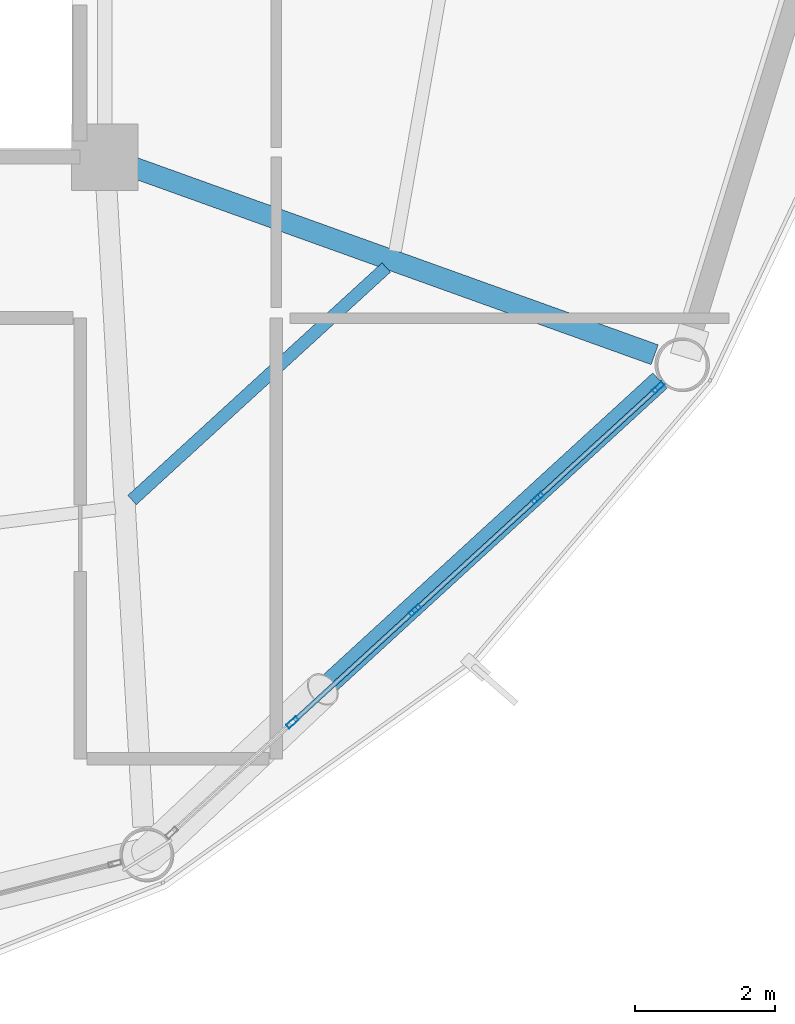
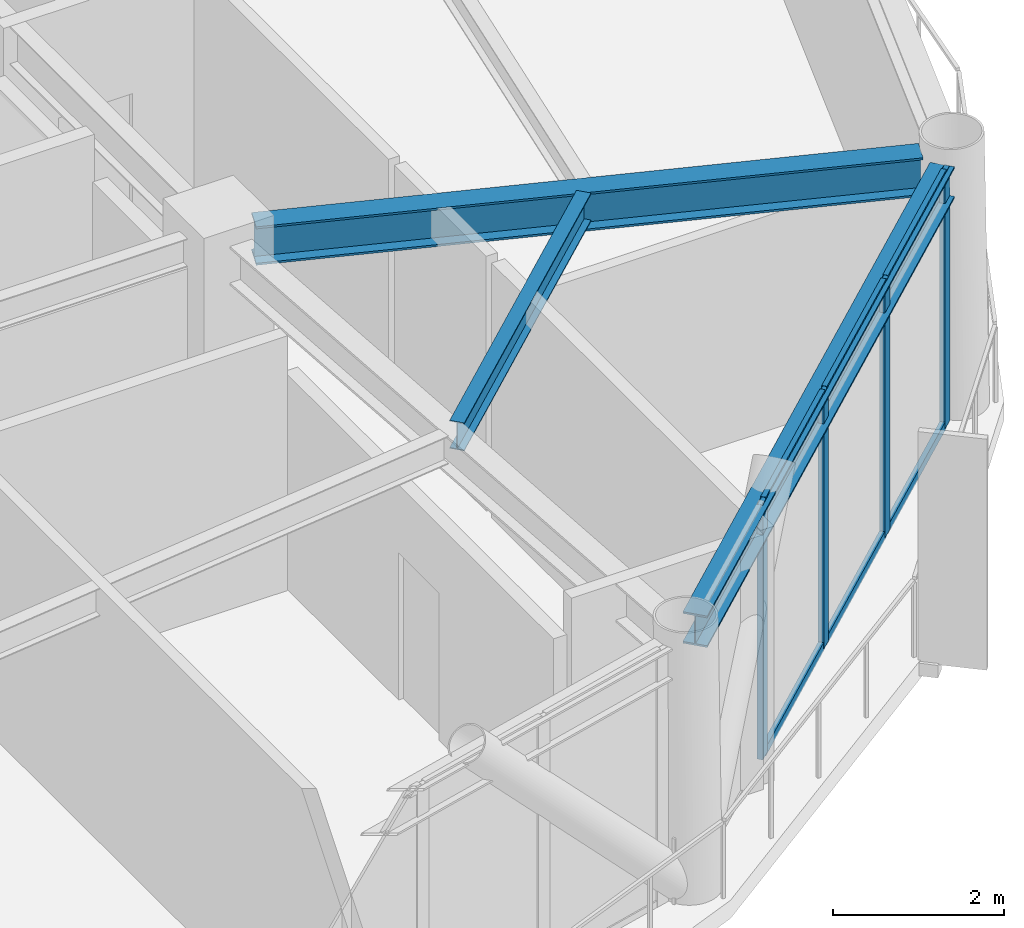
# One storey, part 14 of 27: 10 members, 3 beams, 1 element without a shape of its own.
"""IFC4 building model written with IfcOpenShell, lengths in metres."""

from ifc_helpers import new_model, si_unit, direction, frame, origin, origin_2d, place, context, subcontext, project, spatial, hollow_rectangle, i_section, extrude, material, layer, layer_set, material_profile, profile_set, type_object, element, aggregate, save


model = new_model("IFC4")

# Units and contexts
model_context = context("Model", 3, precision=1e-05, world=origin(), true_north=direction((0.0, 1.0)))
body_context = subcontext(model_context, "Body", "Model", "MODEL_VIEW")
ifc_project = project(units=[si_unit("LENGTHUNIT", "METRE"), si_unit("AREAUNIT", "SQUARE_METRE"), si_unit("VOLUMEUNIT", "CUBIC_METRE"), si_unit("PLANEANGLEUNIT", "RADIAN"), si_unit("MASSUNIT", "GRAM", prefix="KILO")], contexts=[model_context])

# Site, building, storey
site_placement = place(None, origin())
site = spatial("IfcSite", under=ifc_project, at=site_placement, CompositionType="ELEMENT")
building_placement = place(site_placement, origin())
building = spatial("IfcBuilding", under=site, at=building_placement, Name="Varnakorn Sky Granary", CompositionType="ELEMENT")
storey_placement = place(building_placement, frame((0.0, 0.0, 134.39990234375)))
storey = spatial("IfcBuildingStorey", under=building, at=storey_placement, Name="L33", CompositionType="ELEMENT", Elevation=134.39990234375)

# Beams
ifc_material_1 = material(Name="Steel S355JR", Category="steel")
ifc_material_profile_1 = material_profile(ifc_material_1, i_section(OverallWidth=0.300048828125, OverallDepth=0.550048828125, WebThickness=0.014892578125, FlangeThickness=0.029052734375, at=origin_2d()), Name="HE 550 B")
ifc_profile_set_1 = profile_set([ifc_material_profile_1], Name="Steel S355JR")
beam_type_1 = type_object("IfcBeamType", Name="BM-RAD-Z3", PredefinedType="BEAM", material=ifc_profile_set_1)
beam_1_placement = place(storey_placement, frame((8.745361328125, -6.741943359375, 3.364990234375), z_axis=(0.941090480107, -0.338154858388, 0.0), x_axis=(0.338154858388, 0.941090480107, 0.0)))
element("IfcBeam", 1, at=beam_1_placement, inside=storey, type_object=beam_type_1, Name="Radial Floor Girder RG12 L33", PredefinedType="BEAM", context=body_context, shape_type="SweptSolid", body=[
    extrude(i_section(OverallWidth=0.300048828125, OverallDepth=0.550048828125, WebThickness=0.014892578125, FlangeThickness=0.029052734375, at=origin_2d()), origin(), (0.0, 0.0, 1.0), 7.932373046875),
])
ifc_material_profile_2 = material_profile(ifc_material_1, i_section(OverallWidth=0.179931640625, OverallDepth=0.39990234375, WebThickness=0.008544921875, FlangeThickness=0.013427734375, at=origin_2d()), Name="IPE 400")
ifc_profile_set_2 = profile_set([ifc_material_profile_2], Name="Steel S355JR")
beam_type_2 = type_object("IfcBeamType", Name="BM-SEC-Z3", PredefinedType="BEAM", material=ifc_profile_set_2)
beam_2_placement = place(storey_placement, frame((8.74169921875, -11.501220703125, 3.440185546875), z_axis=(0.737795954766, 0.675023798937, 0.0), x_axis=(-0.675023798937, 0.737795954766, 0.0)))
element("IfcBeam", 2, at=beam_2_placement, inside=storey, type_object=beam_type_2, Name="Secondary Floor Chord Beam MSB11 L33", PredefinedType="BEAM", context=body_context, shape_type="SweptSolid", body=[
    extrude(i_section(OverallWidth=0.179931640625, OverallDepth=0.39990234375, WebThickness=0.008544921875, FlangeThickness=0.013427734375, at=origin_2d()), origin(), (0.0, 0.0, 1.0), 4.923828125),
])
ifc_material_profile_3 = material_profile(ifc_material_1, i_section(OverallWidth=0.300048828125, OverallDepth=0.449951171875, WebThickness=0.013916015625, FlangeThickness=0.02587890625, at=origin_2d()), Name="HE 450 B")
ifc_profile_set_3 = profile_set([ifc_material_profile_3], Name="Steel S355JR")
beam_type_3 = type_object("IfcBeamType", Name="BM-SPD-Z3", PredefinedType="SPANDREL", material=ifc_profile_set_3)
beam_3_placement = place(storey_placement, frame((9.19384765625, -16.290283203125, 3.4150390625), z_axis=(0.737414391393, 0.675440608319, 0.0), x_axis=(-0.675440608319, 0.737414391393, 0.0)))
element("IfcBeam", 3, at=beam_3_placement, inside=storey, type_object=beam_type_3, Name="Perimeter Spandrel Ring Beam RB11 L33", PredefinedType="SPANDREL", context=body_context, shape_type="SweptSolid", body=[
    extrude(i_section(OverallWidth=0.300048828125, OverallDepth=0.449951171875, WebThickness=0.013916015625, FlangeThickness=0.02587890625, at=origin_2d()), origin(), (0.0, 0.0, 1.0), 9.6162109375),
])

# Curtain wall, members
ifc_material_2 = material(Name="Anodised Bronze Aluminium Alloy 6063-T6", Category="aluminium")
ifc_layer = layer(ifc_material_2, 0.179931640625, Name="Anodised Bronze Aluminium Alloy 6063-T6")
ifc_layer_set = layer_set([ifc_layer], Name="Anodised Bronze Aluminium Alloy 6063-T6")
curtain_wall_type = type_object("IfcCurtainWallType", Name="CW-FRM-2", PredefinedType="USERDEFINED", material=ifc_layer_set)
curtain_wall_placement = place(storey_placement, origin())
curtain_wall = element("IfcCurtainWall", 4, at=curtain_wall_placement, inside=storey, type_object=curtain_wall_type, Name="Unitised Curtain Wall CW4 CW-L33-B11", ObjectType="CURTAIN WALL", PredefinedType="USERDEFINED")
ifc_material_profile_4 = material_profile(ifc_material_2, hollow_rectangle(XDim=0.070068359375, YDim=0.18505859375, WallThickness=0.00390625, at=origin_2d()), Name="ALU MULL 70x185")
ifc_profile_set_4 = profile_set([ifc_material_profile_4], Name="Anodised Bronze Aluminium Alloy 6063-T6")
member_type_1 = type_object("IfcMemberType", Name="CW-FRM-2-MULL", PredefinedType="MULLION", material=ifc_profile_set_4)
member_1_placement = place(storey_placement, frame((16.26171875, -9.893310546875, 0.0), z_axis=(0.0, 0.0, 1.0), x_axis=(0.675182733871, -0.737650510664, 0.0)))
member_1 = element("IfcMember", 5, at=member_1_placement, type_object=member_type_1, Name="CW4 mullion 1", PredefinedType="MULLION", context=body_context, shape_type="SweptSolid", body=[
    extrude(hollow_rectangle(XDim=0.070068359375, YDim=0.18505859375, WallThickness=0.00390625, at=origin_2d()), origin(), (0.0, 0.0, 1.0), 3.64013671875),
])
member_2_placement = place(storey_placement, frame((14.536376953125, -11.47265625, 0.0), z_axis=(0.0, 0.0, 1.0), x_axis=(0.675182733871, -0.737650510664, 0.0)))
member_2 = element("IfcMember", 6, at=member_2_placement, type_object=member_type_1, Name="CW4 mullion 2", PredefinedType="MULLION", context=body_context, shape_type="SweptSolid", body=[
    extrude(hollow_rectangle(XDim=0.070068359375, YDim=0.18505859375, WallThickness=0.00390625, at=origin_2d()), origin(), (0.0, 0.0, 1.0), 3.64013671875),
])
member_3_placement = place(storey_placement, frame((12.78515625, -13.07568359375, 0.0), z_axis=(0.0, 0.0, 1.0), x_axis=(0.675182733871, -0.737650510664, 0.0)))
member_3 = element("IfcMember", 7, at=member_3_placement, type_object=member_type_1, Name="CW4 mullion 3", PredefinedType="MULLION", context=body_context, shape_type="SweptSolid", body=[
    extrude(hollow_rectangle(XDim=0.070068359375, YDim=0.18505859375, WallThickness=0.00390625, at=origin_2d()), origin(), (0.0, 0.0, 1.0), 3.64013671875),
])
member_4_placement = place(storey_placement, frame((11.033935546875, -14.678466796875, 0.0), z_axis=(0.0, 0.0, 1.0), x_axis=(0.675182733871, -0.737650510664, 0.0)))
member_4 = element("IfcMember", 8, at=member_4_placement, type_object=member_type_1, Name="CW4 mullion 4", PredefinedType="MULLION", context=body_context, shape_type="SweptSolid", body=[
    extrude(hollow_rectangle(XDim=0.070068359375, YDim=0.18505859375, WallThickness=0.00390625, at=origin_2d()), origin(), (0.0, 0.0, 1.0), 3.64013671875),
])
ifc_material_profile_5 = material_profile(ifc_material_2, hollow_rectangle(XDim=0.06494140625, YDim=0.1201171875, WallThickness=0.00341796875, at=origin_2d()), Name="ALU TRAN 65x120")
ifc_profile_set_5 = profile_set([ifc_material_profile_5], Name="Anodised Bronze Aluminium Alloy 6063-T6")
member_type_2 = type_object("IfcMemberType", Name="CW-FRM-2-TRAN", PredefinedType="USERDEFINED", material=ifc_profile_set_5)
member_5_placement = place(storey_placement, frame((16.236083984375, -9.9169921875, 0.03271484375), z_axis=(-0.737672004094, -0.675159251122, 0.0), x_axis=(0.675159251122, -0.737672004094, 0.0)))
member_5 = element("IfcMember", 9, at=member_5_placement, type_object=member_type_2, Name="CW4 transom 1.1", ObjectType="TRANSOM", PredefinedType="USERDEFINED", context=body_context, shape_type="SweptSolid", body=[
    extrude(hollow_rectangle(XDim=0.06494140625, YDim=0.1201171875, WallThickness=0.00341796875, at=origin_2d()), origin(), (0.0, 0.0, 1.0), 2.26904296875),
])
member_6_placement = place(storey_placement, frame((16.236083984375, -9.9169921875, 3.607666015625), z_axis=(-0.737672004094, -0.675159251122, 0.0), x_axis=(0.675159251122, -0.737672004094, 0.0)))
member_6 = element("IfcMember", 10, at=member_6_placement, type_object=member_type_2, Name="CW4 transom 1.2", ObjectType="TRANSOM", PredefinedType="USERDEFINED", context=body_context, shape_type="SweptSolid", body=[
    extrude(hollow_rectangle(XDim=0.06494140625, YDim=0.1201171875, WallThickness=0.00341796875, at=origin_2d()), origin(), (0.0, 0.0, 1.0), 2.26904296875),
])
member_7_placement = place(storey_placement, frame((14.510498046875, -11.496337890625, 0.03271484375), z_axis=(-0.737624607375, -0.675211032638, 0.0), x_axis=(0.675211032638, -0.737624607375, 0.0)))
member_7 = element("IfcMember", 11, at=member_7_placement, type_object=member_type_2, Name="CW4 transom 2.1", ObjectType="TRANSOM", PredefinedType="USERDEFINED", context=body_context, shape_type="SweptSolid", body=[
    extrude(hollow_rectangle(XDim=0.06494140625, YDim=0.1201171875, WallThickness=0.00341796875, at=origin_2d()), origin(), (0.0, 0.0, 1.0), 2.303955078125),
])
member_8_placement = place(storey_placement, frame((14.510498046875, -11.496337890625, 3.607666015625), z_axis=(-0.737624607375, -0.675211032638, 0.0), x_axis=(0.675211032638, -0.737624607375, 0.0)))
member_8 = element("IfcMember", 12, at=member_8_placement, type_object=member_type_2, Name="CW4 transom 2.2", ObjectType="TRANSOM", PredefinedType="USERDEFINED", context=body_context, shape_type="SweptSolid", body=[
    extrude(hollow_rectangle(XDim=0.06494140625, YDim=0.1201171875, WallThickness=0.00341796875, at=origin_2d()), origin(), (0.0, 0.0, 1.0), 2.303955078125),
])
member_9_placement = place(storey_placement, frame((12.75927734375, -13.09912109375, 0.03271484375), z_axis=(-0.737624607375, -0.675211032638, 0.0), x_axis=(0.675211032638, -0.737624607375, 0.0)))
member_9 = element("IfcMember", 13, at=member_9_placement, type_object=member_type_2, Name="CW4 transom 3.1", ObjectType="TRANSOM", PredefinedType="USERDEFINED", context=body_context, shape_type="SweptSolid", body=[
    extrude(hollow_rectangle(XDim=0.06494140625, YDim=0.1201171875, WallThickness=0.00341796875, at=origin_2d()), origin(), (0.0, 0.0, 1.0), 2.303955078125),
])
member_10_placement = place(storey_placement, frame((12.75927734375, -13.09912109375, 3.607666015625), z_axis=(-0.737624607375, -0.675211032638, 0.0), x_axis=(0.675211032638, -0.737624607375, 0.0)))
member_10 = element("IfcMember", 14, at=member_10_placement, type_object=member_type_2, Name="CW4 transom 3.2", ObjectType="TRANSOM", PredefinedType="USERDEFINED", context=body_context, shape_type="SweptSolid", body=[
    extrude(hollow_rectangle(XDim=0.06494140625, YDim=0.1201171875, WallThickness=0.00341796875, at=origin_2d()), origin(), (0.0, 0.0, 1.0), 2.303955078125),
])
aggregate(curtain_wall, [member_1, member_2, member_3, member_4, member_5, member_6, member_7, member_8, member_9, member_10])

save(model, "model.ifc")
